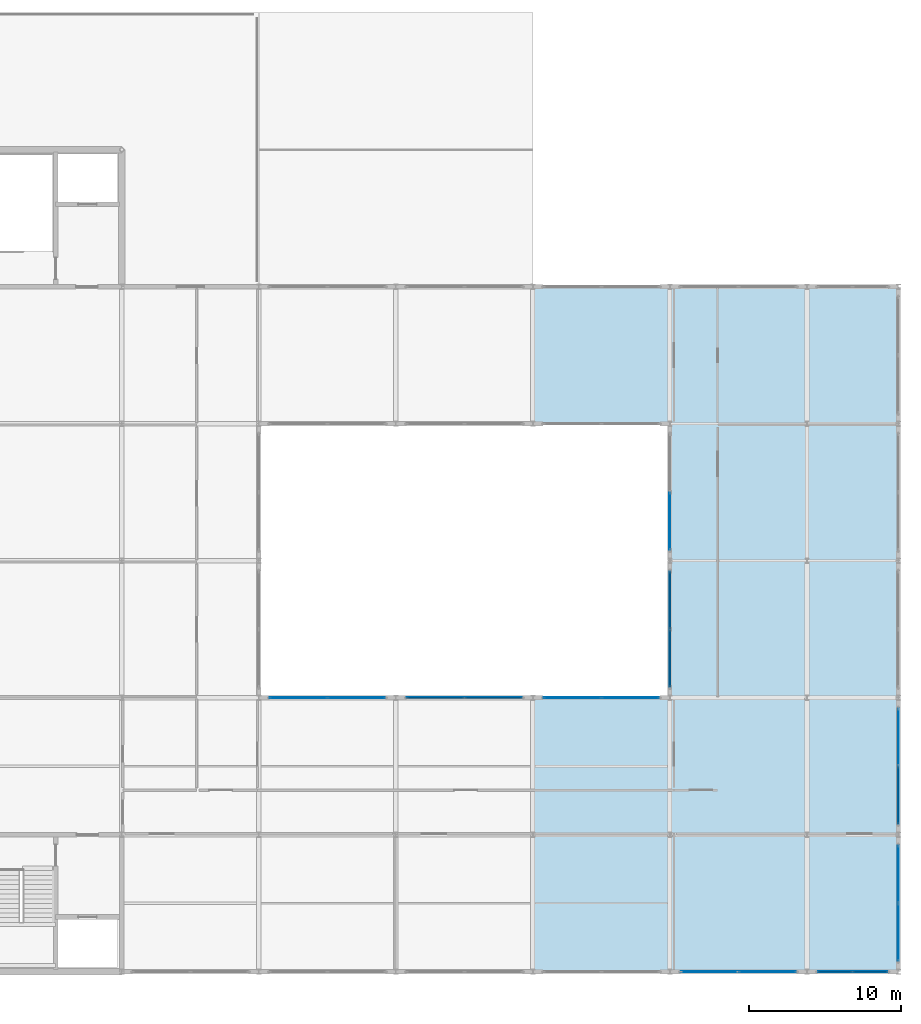
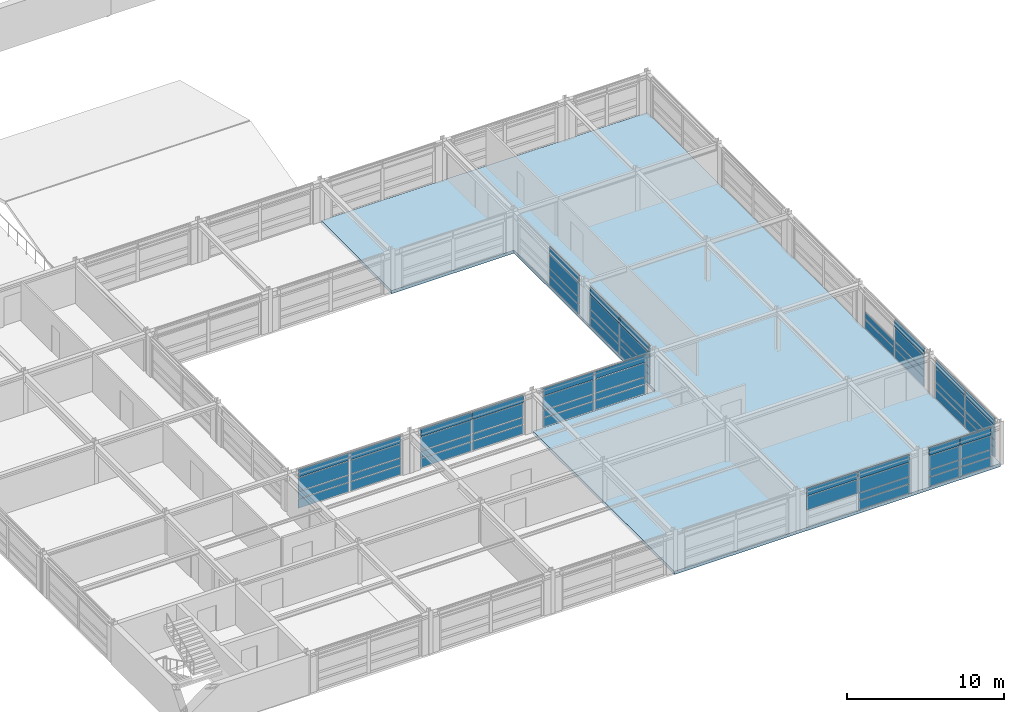
# One storey, part 67 of 91: 64 plates, 1 slab, 9 elements without a shape of their own.
"""IFC4 building model written with IfcOpenShell, lengths in metres."""

from ifc_helpers import new_model, si_unit, direction, frame, origin, origin_2d, place, context, subcontext, project, spatial, polyline, rectangle, outline, extrude, material, layer, layer_set, type_object, element, aggregate, save


model = new_model("IFC4")

# Units and contexts
model_context = context("Model", 3, precision=1e-05, world=origin(), true_north=direction((0.0, 1.0)))
body_context = subcontext(model_context, "Body", "Model", "MODEL_VIEW")
ifc_project = project(units=[si_unit("LENGTHUNIT", "METRE"), si_unit("AREAUNIT", "SQUARE_METRE"), si_unit("VOLUMEUNIT", "CUBIC_METRE"), si_unit("PLANEANGLEUNIT", "RADIAN"), si_unit("MASSUNIT", "GRAM", prefix="KILO")], contexts=[model_context])

# Site, building, storey
site_placement = place(None, origin())
site = spatial("IfcSite", under=ifc_project, at=site_placement, CompositionType="ELEMENT")
building_placement = place(site_placement, origin())
building = spatial("IfcBuilding", under=site, at=building_placement, Name="Palais des Congres Ocreval", CompositionType="ELEMENT")
storey_placement = place(building_placement, frame((0.0, 0.0, 8.159912109375)))
storey = spatial("IfcBuildingStorey", under=building, at=storey_placement, Name="L02", CompositionType="ELEMENT", Elevation=8.159912109375)

# Curtain wall, plates
ifc_material_1 = material(Name="Anodized bronze aluminium and low-E glass", Category="glass")
curtain_wall_type_1 = type_object("IfcCurtainWallType", Name="Unitised Curtain Wall 5800x3280", PredefinedType="USERDEFINED", material=ifc_material_1)
curtain_wall_1_placement = place(storey_placement, origin())
curtain_wall_1 = element("IfcCurtainWall", 1, at=curtain_wall_1_placement, inside=storey, type_object=curtain_wall_type_1, Name="Unitised Curtain Wall CW14 L02", ObjectType="UNITISED CURTAIN WALL", PredefinedType="USERDEFINED")
ifc_material_2 = material(Name="Acoustic triple glazing", Category="glass")
ifc_layer_1 = layer(ifc_material_2, 0.0439453125)
ifc_layer_set_1 = layer_set([ifc_layer_1], Name="Acoustic Laminated Glazing Panel 44 (Acoustic triple glazing)")
plate_type_1 = type_object("IfcPlateType", Name="Acoustic Laminated Glazing Panel 44", PredefinedType="CURTAIN_PANEL", material=ifc_layer_set_1)
plate_1_placement = place(storey_placement, frame((166.15625, 0.0, 0.06005859375), z_axis=(0.0, 0.0, 1.0), x_axis=(-1.0, 0.0, 0.0)))
plate_1 = element("IfcPlate", 2, at=plate_1_placement, type_object=plate_type_1, Name="Vision Glazing Panel VP02", PredefinedType="CURTAIN_PANEL", context=body_context, shape_type="SweptSolid", body=[
    extrude(rectangle(XDim=2.237548828125, YDim=0.0439453125, at=origin_2d()), origin(), (0.0, 0.0, 1.0), 0.68994140625),
])
plate_2_placement = place(storey_placement, frame((166.15625, 0.0, 0.81005859375), z_axis=(0.0, 0.0, 1.0), x_axis=(-1.0, 0.0, 0.0)))
plate_2 = element("IfcPlate", 3, at=plate_2_placement, type_object=plate_type_1, Name="Vision Glazing Panel VP02", PredefinedType="CURTAIN_PANEL", context=body_context, shape_type="SweptSolid", body=[
    extrude(rectangle(XDim=2.237548828125, YDim=0.0439453125, at=origin_2d()), origin(), (0.0, 0.0, 1.0), 0.512939453125),
])
plate_3_placement = place(storey_placement, frame((166.15625, 0.0, 1.3828125), z_axis=(0.0, 0.0, 1.0), x_axis=(-1.0, 0.0, 0.0)))
plate_3 = element("IfcPlate", 4, at=plate_3_placement, type_object=plate_type_1, Name="Vision Glazing Panel VP02", PredefinedType="CURTAIN_PANEL", context=body_context, shape_type="SweptSolid", body=[
    extrude(rectangle(XDim=2.237548828125, YDim=0.0439453125, at=origin_2d()), origin(), (0.0, 0.0, 1.0), 1.047119140625),
])
plate_4_placement = place(storey_placement, frame((163.84375, 0.0, 0.06005859375), z_axis=(0.0, 0.0, 1.0), x_axis=(-1.0, 0.0, 0.0)))
plate_4 = element("IfcPlate", 5, at=plate_4_placement, type_object=plate_type_1, Name="Vision Glazing Panel VP02", PredefinedType="CURTAIN_PANEL", context=body_context, shape_type="SweptSolid", body=[
    extrude(rectangle(XDim=2.237548828125, YDim=0.0439453125, at=origin_2d()), origin(), (0.0, 0.0, 1.0), 0.68994140625),
])
plate_5_placement = place(storey_placement, frame((163.84375, 0.0, 0.81005859375), z_axis=(0.0, 0.0, 1.0), x_axis=(-1.0, 0.0, 0.0)))
plate_5 = element("IfcPlate", 6, at=plate_5_placement, type_object=plate_type_1, Name="Vision Glazing Panel VP02", PredefinedType="CURTAIN_PANEL", context=body_context, shape_type="SweptSolid", body=[
    extrude(rectangle(XDim=2.237548828125, YDim=0.0439453125, at=origin_2d()), origin(), (0.0, 0.0, 1.0), 0.512939453125),
])
plate_6_placement = place(storey_placement, frame((163.84375, 0.0, 1.3828125), z_axis=(0.0, 0.0, 1.0), x_axis=(-1.0, 0.0, 0.0)))
plate_6 = element("IfcPlate", 7, at=plate_6_placement, type_object=plate_type_1, Name="Vision Glazing Panel VP02", PredefinedType="CURTAIN_PANEL", context=body_context, shape_type="SweptSolid", body=[
    extrude(rectangle(XDim=2.237548828125, YDim=0.0439453125, at=origin_2d()), origin(), (0.0, 0.0, 1.0), 1.047119140625),
])

curtain_wall_type_2 = type_object("IfcCurtainWallType", Name="Unitised Curtain Wall 7900x3120", PredefinedType="USERDEFINED", material=ifc_material_1)
curtain_wall_2_placement = place(storey_placement, origin())
curtain_wall_2 = element("IfcCurtainWall", 8, at=curtain_wall_2_placement, inside=storey, type_object=curtain_wall_type_2, Name="Unitised Curtain Wall CW03 L02", ObjectType="UNITISED CURTAIN WALL", PredefinedType="USERDEFINED")
plate_7_placement = place(storey_placement, frame((128.59375, 18.0, 0.06005859375), z_axis=(0.0, 0.0, 1.0), x_axis=(1.0, 0.0, 0.0)))
plate_7 = element("IfcPlate", 9, at=plate_7_placement, type_object=plate_type_1, Name="Vision Glazing Panel VP02", PredefinedType="CURTAIN_PANEL", context=body_context, shape_type="SweptSolid", body=[
    extrude(rectangle(XDim=3.737548828125, YDim=0.0439453125, at=origin_2d()), origin(), (0.0, 0.0, 1.0), 0.68994140625),
])
plate_8_placement = place(storey_placement, frame((128.59375, 18.0, 0.81005859375), z_axis=(0.0, 0.0, 1.0), x_axis=(1.0, 0.0, 0.0)))
plate_8 = element("IfcPlate", 10, at=plate_8_placement, type_object=plate_type_1, Name="Vision Glazing Panel VP02", PredefinedType="CURTAIN_PANEL", context=body_context, shape_type="SweptSolid", body=[
    extrude(rectangle(XDim=3.737548828125, YDim=0.0439453125, at=origin_2d()), origin(), (0.0, 0.0, 1.0), 0.512939453125),
])
plate_9_placement = place(storey_placement, frame((128.59375, 18.0, 1.3828125), z_axis=(0.0, 0.0, 1.0), x_axis=(1.0, 0.0, 0.0)))
plate_9 = element("IfcPlate", 11, at=plate_9_placement, type_object=plate_type_1, Name="Vision Glazing Panel VP02", PredefinedType="CURTAIN_PANEL", context=body_context, shape_type="SweptSolid", body=[
    extrude(rectangle(XDim=3.737548828125, YDim=0.0439453125, at=origin_2d()), origin(), (0.0, 0.0, 1.0), 1.047119140625),
])
plate_10_placement = place(storey_placement, frame((132.40625, 18.0, 0.06005859375), z_axis=(0.0, 0.0, 1.0), x_axis=(1.0, 0.0, 0.0)))
plate_10 = element("IfcPlate", 12, at=plate_10_placement, type_object=plate_type_1, Name="Vision Glazing Panel VP02", PredefinedType="CURTAIN_PANEL", context=body_context, shape_type="SweptSolid", body=[
    extrude(rectangle(XDim=3.737548828125, YDim=0.0439453125, at=origin_2d()), origin(), (0.0, 0.0, 1.0), 0.68994140625),
])
plate_11_placement = place(storey_placement, frame((132.40625, 18.0, 0.81005859375), z_axis=(0.0, 0.0, 1.0), x_axis=(1.0, 0.0, 0.0)))
plate_11 = element("IfcPlate", 13, at=plate_11_placement, type_object=plate_type_1, Name="Vision Glazing Panel VP02", PredefinedType="CURTAIN_PANEL", context=body_context, shape_type="SweptSolid", body=[
    extrude(rectangle(XDim=3.737548828125, YDim=0.0439453125, at=origin_2d()), origin(), (0.0, 0.0, 1.0), 0.512939453125),
])
plate_12_placement = place(storey_placement, frame((132.40625, 18.0, 1.3828125), z_axis=(0.0, 0.0, 1.0), x_axis=(1.0, 0.0, 0.0)))
plate_12 = element("IfcPlate", 14, at=plate_12_placement, type_object=plate_type_1, Name="Vision Glazing Panel VP02", PredefinedType="CURTAIN_PANEL", context=body_context, shape_type="SweptSolid", body=[
    extrude(rectangle(XDim=3.737548828125, YDim=0.0439453125, at=origin_2d()), origin(), (0.0, 0.0, 1.0), 1.047119140625),
])

curtain_wall_3_placement = place(storey_placement, origin())
curtain_wall_3 = element("IfcCurtainWall", 15, at=curtain_wall_3_placement, inside=storey, type_object=curtain_wall_type_2, Name="Unitised Curtain Wall CW03 L02", ObjectType="UNITISED CURTAIN WALL", PredefinedType="USERDEFINED")
plate_13_placement = place(storey_placement, frame((153.0, 20.59375, 0.06005859375), z_axis=(0.0, 0.0, 1.0), x_axis=(0.0, 1.0, 0.0)))
plate_13 = element("IfcPlate", 16, at=plate_13_placement, type_object=plate_type_1, Name="Vision Glazing Panel VP02", PredefinedType="CURTAIN_PANEL", context=body_context, shape_type="SweptSolid", body=[
    extrude(rectangle(XDim=3.737548828125, YDim=0.0439453125, at=origin_2d()), origin(), (0.0, 0.0, 1.0), 0.68994140625),
])
plate_14_placement = place(storey_placement, frame((153.0, 20.59375, 0.81005859375), z_axis=(0.0, 0.0, 1.0), x_axis=(0.0, 1.0, 0.0)))
plate_14 = element("IfcPlate", 17, at=plate_14_placement, type_object=plate_type_1, Name="Vision Glazing Panel VP02", PredefinedType="CURTAIN_PANEL", context=body_context, shape_type="SweptSolid", body=[
    extrude(rectangle(XDim=3.737548828125, YDim=0.0439453125, at=origin_2d()), origin(), (0.0, 0.0, 1.0), 0.512939453125),
])
plate_15_placement = place(storey_placement, frame((153.0, 20.59375, 1.3828125), z_axis=(0.0, 0.0, 1.0), x_axis=(0.0, 1.0, 0.0)))
plate_15 = element("IfcPlate", 18, at=plate_15_placement, type_object=plate_type_1, Name="Vision Glazing Panel VP02", PredefinedType="CURTAIN_PANEL", context=body_context, shape_type="SweptSolid", body=[
    extrude(rectangle(XDim=3.737548828125, YDim=0.0439453125, at=origin_2d()), origin(), (0.0, 0.0, 1.0), 1.047119140625),
])
plate_16_placement = place(storey_placement, frame((153.0, 24.40625, 0.06005859375), z_axis=(0.0, 0.0, 1.0), x_axis=(0.0, 1.0, 0.0)))
plate_16 = element("IfcPlate", 19, at=plate_16_placement, type_object=plate_type_1, Name="Vision Glazing Panel VP02", PredefinedType="CURTAIN_PANEL", context=body_context, shape_type="SweptSolid", body=[
    extrude(rectangle(XDim=3.737548828125, YDim=0.0439453125, at=origin_2d()), origin(), (0.0, 0.0, 1.0), 0.68994140625),
])
plate_17_placement = place(storey_placement, frame((153.0, 24.40625, 0.81005859375), z_axis=(0.0, 0.0, 1.0), x_axis=(0.0, 1.0, 0.0)))
plate_17 = element("IfcPlate", 20, at=plate_17_placement, type_object=plate_type_1, Name="Vision Glazing Panel VP02", PredefinedType="CURTAIN_PANEL", context=body_context, shape_type="SweptSolid", body=[
    extrude(rectangle(XDim=3.737548828125, YDim=0.0439453125, at=origin_2d()), origin(), (0.0, 0.0, 1.0), 0.512939453125),
])
plate_18_placement = place(storey_placement, frame((153.0, 24.40625, 1.3828125), z_axis=(0.0, 0.0, 1.0), x_axis=(0.0, 1.0, 0.0)))
plate_18 = element("IfcPlate", 21, at=plate_18_placement, type_object=plate_type_1, Name="Vision Glazing Panel VP02", PredefinedType="CURTAIN_PANEL", context=body_context, shape_type="SweptSolid", body=[
    extrude(rectangle(XDim=3.737548828125, YDim=0.0439453125, at=origin_2d()), origin(), (0.0, 0.0, 1.0), 1.047119140625),
])

curtain_wall_4_placement = place(storey_placement, origin())
curtain_wall_4 = element("IfcCurtainWall", 22, at=curtain_wall_4_placement, inside=storey, type_object=curtain_wall_type_2, Name="Unitised Curtain Wall CW03 L02", ObjectType="UNITISED CURTAIN WALL", PredefinedType="USERDEFINED")
ifc_material_3 = material(Name="Anodized bronze aluminium", Category="aluminium")
ifc_layer_2 = layer(ifc_material_3, 0.06005859375)
ifc_layer_set_2 = layer_set([ifc_layer_2], Name="Anodized Bronze Spandrel Cassette 60 (Anodized bronze aluminium)")
plate_type_2 = type_object("IfcPlateType", Name="Anodized Bronze Spandrel Cassette 60", PredefinedType="SHEET", material=ifc_layer_set_2)
plate_19_placement = place(storey_placement, frame((168.0, 6.40625, 2.489990234375), z_axis=(0.0, 0.0, 1.0), x_axis=(0.0, -1.0, 0.0)))
plate_19 = element("IfcPlate", 23, at=plate_19_placement, type_object=plate_type_2, Name="Spandrel Sheet SPN1", PredefinedType="SHEET", context=body_context, shape_type="SweptSolid", body=[
    extrude(rectangle(XDim=3.737548828125, YDim=0.06005859375, at=origin_2d()), origin(), (0.0, 0.0, 1.0), 0.56005859375),
])
plate_20_placement = place(storey_placement, frame((168.0, 2.59375, 2.489990234375), z_axis=(0.0, 0.0, 1.0), x_axis=(0.0, -1.0, 0.0)))
plate_20 = element("IfcPlate", 24, at=plate_20_placement, type_object=plate_type_2, Name="Spandrel Sheet SPN1", PredefinedType="SHEET", context=body_context, shape_type="SweptSolid", body=[
    extrude(rectangle(XDim=3.737548828125, YDim=0.06005859375, at=origin_2d()), origin(), (0.0, 0.0, 1.0), 0.56005859375),
])

curtain_wall_5_placement = place(storey_placement, origin())
curtain_wall_5 = element("IfcCurtainWall", 25, at=curtain_wall_5_placement, inside=storey, type_object=curtain_wall_type_2, Name="Unitised Curtain Wall CW03 L02", ObjectType="UNITISED CURTAIN WALL", PredefinedType="USERDEFINED")
plate_21_placement = place(storey_placement, frame((159.40625, 0.0, 2.489990234375), z_axis=(0.0, 0.0, 1.0), x_axis=(-1.0, 0.0, 0.0)))
plate_21 = element("IfcPlate", 26, at=plate_21_placement, type_object=plate_type_2, Name="Spandrel Sheet SPN1", PredefinedType="SHEET", context=body_context, shape_type="SweptSolid", body=[
    extrude(rectangle(XDim=3.737548828125, YDim=0.06005859375, at=origin_2d()), origin(), (0.0, 0.0, 1.0), 0.56005859375),
])
plate_22_placement = place(storey_placement, frame((155.59375, 0.0, 2.489990234375), z_axis=(0.0, 0.0, 1.0), x_axis=(-1.0, 0.0, 0.0)))
plate_22 = element("IfcPlate", 27, at=plate_22_placement, type_object=plate_type_2, Name="Spandrel Sheet SPN1", PredefinedType="SHEET", context=body_context, shape_type="SweptSolid", body=[
    extrude(rectangle(XDim=3.737548828125, YDim=0.06005859375, at=origin_2d()), origin(), (0.0, 0.0, 1.0), 0.56005859375),
])

# Plate
plate_23_placement = place(storey_placement, frame((128.59375, 18.0, 2.489990234375), z_axis=(0.0, 0.0, 1.0), x_axis=(1.0, 0.0, 0.0)))
plate_23 = element("IfcPlate", 28, at=plate_23_placement, type_object=plate_type_2, Name="Spandrel Sheet SPN1", PredefinedType="SHEET", context=body_context, shape_type="SweptSolid", body=[
    extrude(rectangle(XDim=3.737548828125, YDim=0.06005859375, at=origin_2d()), origin(), (0.0, 0.0, 1.0), 0.56005859375),
])

plate_24_placement = place(storey_placement, frame((132.40625, 18.0, 2.489990234375), z_axis=(0.0, 0.0, 1.0), x_axis=(1.0, 0.0, 0.0)))
plate_24 = element("IfcPlate", 29, at=plate_24_placement, type_object=plate_type_2, Name="Spandrel Sheet SPN1", PredefinedType="SHEET", context=body_context, shape_type="SweptSolid", body=[
    extrude(rectangle(XDim=3.737548828125, YDim=0.06005859375, at=origin_2d()), origin(), (0.0, 0.0, 1.0), 0.56005859375),
])

aggregate(curtain_wall_2, [plate_7, plate_8, plate_9, plate_23, plate_10, plate_11, plate_12, plate_24])

# Curtain wall, plates
curtain_wall_6_placement = place(storey_placement, origin())
curtain_wall_6 = element("IfcCurtainWall", 30, at=curtain_wall_6_placement, inside=storey, type_object=curtain_wall_type_2, Name="Unitised Curtain Wall CW03 L02", ObjectType="UNITISED CURTAIN WALL", PredefinedType="USERDEFINED")
plate_25_placement = place(storey_placement, frame((146.59375, 18.0, 2.489990234375), z_axis=(0.0, 0.0, 1.0), x_axis=(1.0, 0.0, 0.0)))
plate_25 = element("IfcPlate", 31, at=plate_25_placement, type_object=plate_type_2, Name="Spandrel Sheet SPN1", PredefinedType="SHEET", context=body_context, shape_type="SweptSolid", body=[
    extrude(rectangle(XDim=3.737548828125, YDim=0.06005859375, at=origin_2d()), origin(), (0.0, 0.0, 1.0), 0.56005859375),
])
plate_26_placement = place(storey_placement, frame((150.40625, 18.0, 2.489990234375), z_axis=(0.0, 0.0, 1.0), x_axis=(1.0, 0.0, 0.0)))
plate_26 = element("IfcPlate", 32, at=plate_26_placement, type_object=plate_type_2, Name="Spandrel Sheet SPN1", PredefinedType="SHEET", context=body_context, shape_type="SweptSolid", body=[
    extrude(rectangle(XDim=3.737548828125, YDim=0.06005859375, at=origin_2d()), origin(), (0.0, 0.0, 1.0), 0.56005859375),
])

# Curtain wall, plate
curtain_wall_7_placement = place(storey_placement, origin())
curtain_wall_7 = element("IfcCurtainWall", 33, at=curtain_wall_7_placement, inside=storey, type_object=curtain_wall_type_2, Name="Unitised Curtain Wall CW03 L02", ObjectType="UNITISED CURTAIN WALL", PredefinedType="USERDEFINED")
plate_27_placement = place(storey_placement, frame((153.0, 29.59375, 2.489990234375), z_axis=(0.0, 0.0, 1.0), x_axis=(0.0, 1.0, 0.0)))
plate_27 = element("IfcPlate", 34, at=plate_27_placement, type_object=plate_type_2, Name="Spandrel Sheet SPN1", PredefinedType="SHEET", context=body_context, shape_type="SweptSolid", body=[
    extrude(rectangle(XDim=3.737548828125, YDim=0.06005859375, at=origin_2d()), origin(), (0.0, 0.0, 1.0), 0.56005859375),
])

# Curtain wall, plates
curtain_wall_8_placement = place(storey_placement, origin())
curtain_wall_8 = element("IfcCurtainWall", 35, at=curtain_wall_8_placement, inside=storey, type_object=curtain_wall_type_2, Name="Unitised Curtain Wall CW03 L02", ObjectType="UNITISED CURTAIN WALL", PredefinedType="USERDEFINED")
ifc_material_4 = material(Name="Low-E solar-control double glazing", Category="glass")
ifc_layer_3 = layer(ifc_material_4, 0.031982421875)
ifc_layer_set_3 = layer_set([ifc_layer_3], Name="Galleria Clear Vision Panel 32 (Low-E solar-control double glazing)")
plate_type_3 = type_object("IfcPlateType", Name="Galleria Clear Vision Panel 32", PredefinedType="CURTAIN_PANEL", material=ifc_layer_set_3)
plate_28_placement = place(storey_placement, frame((168.0, 15.40625, 0.06005859375), z_axis=(0.0, 0.0, 1.0), x_axis=(0.0, -1.0, 0.0)))
plate_28 = element("IfcPlate", 36, at=plate_28_placement, type_object=plate_type_3, Name="Vision Glazing Panel VP03", PredefinedType="CURTAIN_PANEL", context=body_context, shape_type="SweptSolid", body=[
    extrude(rectangle(XDim=3.737548828125, YDim=0.031982421875, at=origin_2d()), origin(), (0.0, 0.0, 1.0), 0.68994140625),
])
plate_29_placement = place(storey_placement, frame((168.0, 15.40625, 0.81005859375), z_axis=(0.0, 0.0, 1.0), x_axis=(0.0, -1.0, 0.0)))
plate_29 = element("IfcPlate", 37, at=plate_29_placement, type_object=plate_type_3, Name="Vision Glazing Panel VP03", PredefinedType="CURTAIN_PANEL", context=body_context, shape_type="SweptSolid", body=[
    extrude(rectangle(XDim=3.737548828125, YDim=0.031982421875, at=origin_2d()), origin(), (0.0, 0.0, 1.0), 0.512939453125),
])
plate_30_placement = place(storey_placement, frame((168.0, 11.59375, 0.06005859375), z_axis=(0.0, 0.0, 1.0), x_axis=(0.0, -1.0, 0.0)))
plate_30 = element("IfcPlate", 38, at=plate_30_placement, type_object=plate_type_3, Name="Vision Glazing Panel VP03", PredefinedType="CURTAIN_PANEL", context=body_context, shape_type="SweptSolid", body=[
    extrude(rectangle(XDim=3.737548828125, YDim=0.031982421875, at=origin_2d()), origin(), (0.0, 0.0, 1.0), 0.68994140625),
])
plate_31_placement = place(storey_placement, frame((168.0, 11.59375, 0.81005859375), z_axis=(0.0, 0.0, 1.0), x_axis=(0.0, -1.0, 0.0)))
plate_31 = element("IfcPlate", 39, at=plate_31_placement, type_object=plate_type_3, Name="Vision Glazing Panel VP03", PredefinedType="CURTAIN_PANEL", context=body_context, shape_type="SweptSolid", body=[
    extrude(rectangle(XDim=3.737548828125, YDim=0.031982421875, at=origin_2d()), origin(), (0.0, 0.0, 1.0), 0.512939453125),
])
plate_32_placement = place(storey_placement, frame((168.0, 11.59375, 1.3828125), z_axis=(0.0, 0.0, 1.0), x_axis=(0.0, -1.0, 0.0)))
plate_32 = element("IfcPlate", 40, at=plate_32_placement, type_object=plate_type_3, Name="Vision Glazing Panel VP03", PredefinedType="CURTAIN_PANEL", context=body_context, shape_type="SweptSolid", body=[
    extrude(rectangle(XDim=3.737548828125, YDim=0.031982421875, at=origin_2d()), origin(), (0.0, 0.0, 1.0), 1.047119140625),
])

# Plate
plate_33_placement = place(storey_placement, frame((159.40625, 0.0, 0.06005859375), z_axis=(0.0, 0.0, 1.0), x_axis=(-1.0, 0.0, 0.0)))
plate_33 = element("IfcPlate", 41, at=plate_33_placement, type_object=plate_type_3, Name="Vision Glazing Panel VP03", PredefinedType="CURTAIN_PANEL", context=body_context, shape_type="SweptSolid", body=[
    extrude(rectangle(XDim=3.737548828125, YDim=0.031982421875, at=origin_2d()), origin(), (0.0, 0.0, 1.0), 0.68994140625),
])

plate_34_placement = place(storey_placement, frame((159.40625, 0.0, 0.81005859375), z_axis=(0.0, 0.0, 1.0), x_axis=(-1.0, 0.0, 0.0)))
plate_34 = element("IfcPlate", 42, at=plate_34_placement, type_object=plate_type_3, Name="Vision Glazing Panel VP03", PredefinedType="CURTAIN_PANEL", context=body_context, shape_type="SweptSolid", body=[
    extrude(rectangle(XDim=3.737548828125, YDim=0.031982421875, at=origin_2d()), origin(), (0.0, 0.0, 1.0), 0.512939453125),
])

plate_35_placement = place(storey_placement, frame((159.40625, 0.0, 1.3828125), z_axis=(0.0, 0.0, 1.0), x_axis=(-1.0, 0.0, 0.0)))
plate_35 = element("IfcPlate", 43, at=plate_35_placement, type_object=plate_type_3, Name="Vision Glazing Panel VP03", PredefinedType="CURTAIN_PANEL", context=body_context, shape_type="SweptSolid", body=[
    extrude(rectangle(XDim=3.737548828125, YDim=0.031982421875, at=origin_2d()), origin(), (0.0, 0.0, 1.0), 1.047119140625),
])

plate_36_placement = place(storey_placement, frame((155.59375, 0.0, 1.3828125), z_axis=(0.0, 0.0, 1.0), x_axis=(-1.0, 0.0, 0.0)))
plate_36 = element("IfcPlate", 44, at=plate_36_placement, type_object=plate_type_3, Name="Vision Glazing Panel VP03", PredefinedType="CURTAIN_PANEL", context=body_context, shape_type="SweptSolid", body=[
    extrude(rectangle(XDim=3.737548828125, YDim=0.031982421875, at=origin_2d()), origin(), (0.0, 0.0, 1.0), 1.047119140625),
])

aggregate(curtain_wall_5, [plate_33, plate_34, plate_35, plate_21, plate_36, plate_22])

# Curtain wall, plates
curtain_wall_9_placement = place(storey_placement, origin())
curtain_wall_9 = element("IfcCurtainWall", 45, at=curtain_wall_9_placement, inside=storey, type_object=curtain_wall_type_2, Name="Unitised Curtain Wall CW03 L02", ObjectType="UNITISED CURTAIN WALL", PredefinedType="USERDEFINED")
plate_37_placement = place(storey_placement, frame((137.59375, 18.0, 0.06005859375), z_axis=(0.0, 0.0, 1.0), x_axis=(1.0, 0.0, 0.0)))
plate_37 = element("IfcPlate", 46, at=plate_37_placement, type_object=plate_type_3, Name="Vision Glazing Panel VP03", PredefinedType="CURTAIN_PANEL", context=body_context, shape_type="SweptSolid", body=[
    extrude(rectangle(XDim=3.737548828125, YDim=0.031982421875, at=origin_2d()), origin(), (0.0, 0.0, 1.0), 0.68994140625),
])
plate_38_placement = place(storey_placement, frame((137.59375, 18.0, 0.81005859375), z_axis=(0.0, 0.0, 1.0), x_axis=(1.0, 0.0, 0.0)))
plate_38 = element("IfcPlate", 47, at=plate_38_placement, type_object=plate_type_3, Name="Vision Glazing Panel VP03", PredefinedType="CURTAIN_PANEL", context=body_context, shape_type="SweptSolid", body=[
    extrude(rectangle(XDim=3.737548828125, YDim=0.031982421875, at=origin_2d()), origin(), (0.0, 0.0, 1.0), 0.512939453125),
])
plate_39_placement = place(storey_placement, frame((137.59375, 18.0, 1.3828125), z_axis=(0.0, 0.0, 1.0), x_axis=(1.0, 0.0, 0.0)))
plate_39 = element("IfcPlate", 48, at=plate_39_placement, type_object=plate_type_3, Name="Vision Glazing Panel VP03", PredefinedType="CURTAIN_PANEL", context=body_context, shape_type="SweptSolid", body=[
    extrude(rectangle(XDim=3.737548828125, YDim=0.031982421875, at=origin_2d()), origin(), (0.0, 0.0, 1.0), 1.047119140625),
])
plate_40_placement = place(storey_placement, frame((141.40625, 18.0, 0.06005859375), z_axis=(0.0, 0.0, 1.0), x_axis=(1.0, 0.0, 0.0)))
plate_40 = element("IfcPlate", 49, at=plate_40_placement, type_object=plate_type_3, Name="Vision Glazing Panel VP03", PredefinedType="CURTAIN_PANEL", context=body_context, shape_type="SweptSolid", body=[
    extrude(rectangle(XDim=3.737548828125, YDim=0.031982421875, at=origin_2d()), origin(), (0.0, 0.0, 1.0), 0.68994140625),
])
plate_41_placement = place(storey_placement, frame((141.40625, 18.0, 0.81005859375), z_axis=(0.0, 0.0, 1.0), x_axis=(1.0, 0.0, 0.0)))
plate_41 = element("IfcPlate", 50, at=plate_41_placement, type_object=plate_type_3, Name="Vision Glazing Panel VP03", PredefinedType="CURTAIN_PANEL", context=body_context, shape_type="SweptSolid", body=[
    extrude(rectangle(XDim=3.737548828125, YDim=0.031982421875, at=origin_2d()), origin(), (0.0, 0.0, 1.0), 0.512939453125),
])
plate_42_placement = place(storey_placement, frame((141.40625, 18.0, 1.3828125), z_axis=(0.0, 0.0, 1.0), x_axis=(1.0, 0.0, 0.0)))
plate_42 = element("IfcPlate", 51, at=plate_42_placement, type_object=plate_type_3, Name="Vision Glazing Panel VP03", PredefinedType="CURTAIN_PANEL", context=body_context, shape_type="SweptSolid", body=[
    extrude(rectangle(XDim=3.737548828125, YDim=0.031982421875, at=origin_2d()), origin(), (0.0, 0.0, 1.0), 1.047119140625),
])

# Plate
plate_43_placement = place(storey_placement, frame((153.0, 29.59375, 0.06005859375), z_axis=(0.0, 0.0, 1.0), x_axis=(0.0, 1.0, 0.0)))
plate_43 = element("IfcPlate", 52, at=plate_43_placement, type_object=plate_type_3, Name="Vision Glazing Panel VP03", PredefinedType="CURTAIN_PANEL", context=body_context, shape_type="SweptSolid", body=[
    extrude(rectangle(XDim=3.737548828125, YDim=0.031982421875, at=origin_2d()), origin(), (0.0, 0.0, 1.0), 0.68994140625),
])

plate_44_placement = place(storey_placement, frame((153.0, 29.59375, 0.81005859375), z_axis=(0.0, 0.0, 1.0), x_axis=(0.0, 1.0, 0.0)))
plate_44 = element("IfcPlate", 53, at=plate_44_placement, type_object=plate_type_3, Name="Vision Glazing Panel VP03", PredefinedType="CURTAIN_PANEL", context=body_context, shape_type="SweptSolid", body=[
    extrude(rectangle(XDim=3.737548828125, YDim=0.031982421875, at=origin_2d()), origin(), (0.0, 0.0, 1.0), 0.512939453125),
])

plate_45_placement = place(storey_placement, frame((153.0, 29.59375, 1.3828125), z_axis=(0.0, 0.0, 1.0), x_axis=(0.0, 1.0, 0.0)))
plate_45 = element("IfcPlate", 54, at=plate_45_placement, type_object=plate_type_3, Name="Vision Glazing Panel VP03", PredefinedType="CURTAIN_PANEL", context=body_context, shape_type="SweptSolid", body=[
    extrude(rectangle(XDim=3.737548828125, YDim=0.031982421875, at=origin_2d()), origin(), (0.0, 0.0, 1.0), 1.047119140625),
])

aggregate(curtain_wall_7, [plate_43, plate_44, plate_45, plate_27])

ifc_layer_4 = layer(ifc_material_4, 0.035888671875)
ifc_layer_set_4 = layer_set([ifc_layer_4], Name="Low-E Vision Glazing Panel 36 (Low-E solar-control double glazing)")
plate_type_4 = type_object("IfcPlateType", Name="Low-E Vision Glazing Panel 36", PredefinedType="CURTAIN_PANEL", material=ifc_layer_set_4)
plate_46_placement = place(storey_placement, frame((168.0, 6.40625, 0.06005859375), z_axis=(0.0, 0.0, 1.0), x_axis=(0.0, -1.0, 0.0)))
plate_46 = element("IfcPlate", 55, at=plate_46_placement, type_object=plate_type_4, Name="Vision Glazing Panel VP01", PredefinedType="CURTAIN_PANEL", context=body_context, shape_type="SweptSolid", body=[
    extrude(rectangle(XDim=3.737548828125, YDim=0.035888671875, at=origin_2d()), origin(), (0.0, 0.0, 1.0), 0.68994140625),
])

plate_47_placement = place(storey_placement, frame((168.0, 6.40625, 0.81005859375), z_axis=(0.0, 0.0, 1.0), x_axis=(0.0, -1.0, 0.0)))
plate_47 = element("IfcPlate", 56, at=plate_47_placement, type_object=plate_type_4, Name="Vision Glazing Panel VP01", PredefinedType="CURTAIN_PANEL", context=body_context, shape_type="SweptSolid", body=[
    extrude(rectangle(XDim=3.737548828125, YDim=0.035888671875, at=origin_2d()), origin(), (0.0, 0.0, 1.0), 0.512939453125),
])

plate_48_placement = place(storey_placement, frame((168.0, 6.40625, 1.3828125), z_axis=(0.0, 0.0, 1.0), x_axis=(0.0, -1.0, 0.0)))
plate_48 = element("IfcPlate", 57, at=plate_48_placement, type_object=plate_type_4, Name="Vision Glazing Panel VP01", PredefinedType="CURTAIN_PANEL", context=body_context, shape_type="SweptSolid", body=[
    extrude(rectangle(XDim=3.737548828125, YDim=0.035888671875, at=origin_2d()), origin(), (0.0, 0.0, 1.0), 1.047119140625),
])

plate_49_placement = place(storey_placement, frame((168.0, 2.59375, 0.06005859375), z_axis=(0.0, 0.0, 1.0), x_axis=(0.0, -1.0, 0.0)))
plate_49 = element("IfcPlate", 58, at=plate_49_placement, type_object=plate_type_4, Name="Vision Glazing Panel VP01", PredefinedType="CURTAIN_PANEL", context=body_context, shape_type="SweptSolid", body=[
    extrude(rectangle(XDim=3.737548828125, YDim=0.035888671875, at=origin_2d()), origin(), (0.0, 0.0, 1.0), 0.68994140625),
])

plate_50_placement = place(storey_placement, frame((168.0, 2.59375, 0.81005859375), z_axis=(0.0, 0.0, 1.0), x_axis=(0.0, -1.0, 0.0)))
plate_50 = element("IfcPlate", 59, at=plate_50_placement, type_object=plate_type_4, Name="Vision Glazing Panel VP01", PredefinedType="CURTAIN_PANEL", context=body_context, shape_type="SweptSolid", body=[
    extrude(rectangle(XDim=3.737548828125, YDim=0.035888671875, at=origin_2d()), origin(), (0.0, 0.0, 1.0), 0.512939453125),
])

plate_51_placement = place(storey_placement, frame((168.0, 2.59375, 1.3828125), z_axis=(0.0, 0.0, 1.0), x_axis=(0.0, -1.0, 0.0)))
plate_51 = element("IfcPlate", 60, at=plate_51_placement, type_object=plate_type_4, Name="Vision Glazing Panel VP01", PredefinedType="CURTAIN_PANEL", context=body_context, shape_type="SweptSolid", body=[
    extrude(rectangle(XDim=3.737548828125, YDim=0.035888671875, at=origin_2d()), origin(), (0.0, 0.0, 1.0), 1.047119140625),
])

aggregate(curtain_wall_4, [plate_46, plate_47, plate_48, plate_19, plate_49, plate_50, plate_51, plate_20])

plate_52_placement = place(storey_placement, frame((146.59375, 18.0, 0.06005859375), z_axis=(0.0, 0.0, 1.0), x_axis=(1.0, 0.0, 0.0)))
plate_52 = element("IfcPlate", 61, at=plate_52_placement, type_object=plate_type_4, Name="Vision Glazing Panel VP01", PredefinedType="CURTAIN_PANEL", context=body_context, shape_type="SweptSolid", body=[
    extrude(rectangle(XDim=3.737548828125, YDim=0.035888671875, at=origin_2d()), origin(), (0.0, 0.0, 1.0), 0.68994140625),
])

plate_53_placement = place(storey_placement, frame((146.59375, 18.0, 0.81005859375), z_axis=(0.0, 0.0, 1.0), x_axis=(1.0, 0.0, 0.0)))
plate_53 = element("IfcPlate", 62, at=plate_53_placement, type_object=plate_type_4, Name="Vision Glazing Panel VP01", PredefinedType="CURTAIN_PANEL", context=body_context, shape_type="SweptSolid", body=[
    extrude(rectangle(XDim=3.737548828125, YDim=0.035888671875, at=origin_2d()), origin(), (0.0, 0.0, 1.0), 0.512939453125),
])

plate_54_placement = place(storey_placement, frame((146.59375, 18.0, 1.3828125), z_axis=(0.0, 0.0, 1.0), x_axis=(1.0, 0.0, 0.0)))
plate_54 = element("IfcPlate", 63, at=plate_54_placement, type_object=plate_type_4, Name="Vision Glazing Panel VP01", PredefinedType="CURTAIN_PANEL", context=body_context, shape_type="SweptSolid", body=[
    extrude(rectangle(XDim=3.737548828125, YDim=0.035888671875, at=origin_2d()), origin(), (0.0, 0.0, 1.0), 1.047119140625),
])

plate_55_placement = place(storey_placement, frame((150.40625, 18.0, 0.06005859375), z_axis=(0.0, 0.0, 1.0), x_axis=(1.0, 0.0, 0.0)))
plate_55 = element("IfcPlate", 64, at=plate_55_placement, type_object=plate_type_4, Name="Vision Glazing Panel VP01", PredefinedType="CURTAIN_PANEL", context=body_context, shape_type="SweptSolid", body=[
    extrude(rectangle(XDim=3.737548828125, YDim=0.035888671875, at=origin_2d()), origin(), (0.0, 0.0, 1.0), 0.68994140625),
])

plate_56_placement = place(storey_placement, frame((150.40625, 18.0, 0.81005859375), z_axis=(0.0, 0.0, 1.0), x_axis=(1.0, 0.0, 0.0)))
plate_56 = element("IfcPlate", 65, at=plate_56_placement, type_object=plate_type_4, Name="Vision Glazing Panel VP01", PredefinedType="CURTAIN_PANEL", context=body_context, shape_type="SweptSolid", body=[
    extrude(rectangle(XDim=3.737548828125, YDim=0.035888671875, at=origin_2d()), origin(), (0.0, 0.0, 1.0), 0.512939453125),
])

plate_57_placement = place(storey_placement, frame((150.40625, 18.0, 1.3828125), z_axis=(0.0, 0.0, 1.0), x_axis=(1.0, 0.0, 0.0)))
plate_57 = element("IfcPlate", 66, at=plate_57_placement, type_object=plate_type_4, Name="Vision Glazing Panel VP01", PredefinedType="CURTAIN_PANEL", context=body_context, shape_type="SweptSolid", body=[
    extrude(rectangle(XDim=3.737548828125, YDim=0.035888671875, at=origin_2d()), origin(), (0.0, 0.0, 1.0), 1.047119140625),
])

aggregate(curtain_wall_6, [plate_52, plate_53, plate_54, plate_25, plate_55, plate_56, plate_57, plate_26])

ifc_material_5 = material(Name="Terracotta ceramic spandrel", Category="masonry")
ifc_layer_5 = layer(ifc_material_5, 0.080078125)
ifc_layer_set_5 = layer_set([ifc_layer_5], Name="Terracotta Insulated Spandrel Sheet 80 (Terracotta ceramic spandrel)")
plate_type_5 = type_object("IfcPlateType", Name="Terracotta Insulated Spandrel Sheet 80", PredefinedType="SHEET", material=ifc_layer_set_5)
plate_58_placement = place(storey_placement, frame((168.0, 11.59375, 2.489990234375), z_axis=(0.0, 0.0, 1.0), x_axis=(0.0, -1.0, 0.0)))
plate_58 = element("IfcPlate", 67, at=plate_58_placement, type_object=plate_type_5, Name="Spandrel Sheet SPN2", PredefinedType="SHEET", context=body_context, shape_type="SweptSolid", body=[
    extrude(rectangle(XDim=3.737548828125, YDim=0.080078125, at=origin_2d()), origin(), (0.0, 0.0, 1.0), 0.56005859375),
])

aggregate(curtain_wall_8, [plate_28, plate_29, plate_30, plate_31, plate_32, plate_58])

plate_59_placement = place(storey_placement, frame((166.15625, 0.0, 2.489990234375), z_axis=(0.0, 0.0, 1.0), x_axis=(-1.0, 0.0, 0.0)))
plate_59 = element("IfcPlate", 68, at=plate_59_placement, type_object=plate_type_5, Name="Spandrel Sheet SPN2", PredefinedType="SHEET", context=body_context, shape_type="SweptSolid", body=[
    extrude(rectangle(XDim=2.237548828125, YDim=0.080078125, at=origin_2d()), origin(), (0.0, 0.0, 1.0), 0.56005859375),
])

plate_60_placement = place(storey_placement, frame((163.84375, 0.0, 2.489990234375), z_axis=(0.0, 0.0, 1.0), x_axis=(-1.0, 0.0, 0.0)))
plate_60 = element("IfcPlate", 69, at=plate_60_placement, type_object=plate_type_5, Name="Spandrel Sheet SPN2", PredefinedType="SHEET", context=body_context, shape_type="SweptSolid", body=[
    extrude(rectangle(XDim=2.237548828125, YDim=0.080078125, at=origin_2d()), origin(), (0.0, 0.0, 1.0), 0.56005859375),
])

aggregate(curtain_wall_1, [plate_1, plate_2, plate_3, plate_59, plate_4, plate_5, plate_6, plate_60])

plate_61_placement = place(storey_placement, frame((137.59375, 18.0, 2.489990234375), z_axis=(0.0, 0.0, 1.0), x_axis=(1.0, 0.0, 0.0)))
plate_61 = element("IfcPlate", 70, at=plate_61_placement, type_object=plate_type_5, Name="Spandrel Sheet SPN2", PredefinedType="SHEET", context=body_context, shape_type="SweptSolid", body=[
    extrude(rectangle(XDim=3.737548828125, YDim=0.080078125, at=origin_2d()), origin(), (0.0, 0.0, 1.0), 0.56005859375),
])

plate_62_placement = place(storey_placement, frame((141.40625, 18.0, 2.489990234375), z_axis=(0.0, 0.0, 1.0), x_axis=(1.0, 0.0, 0.0)))
plate_62 = element("IfcPlate", 71, at=plate_62_placement, type_object=plate_type_5, Name="Spandrel Sheet SPN2", PredefinedType="SHEET", context=body_context, shape_type="SweptSolid", body=[
    extrude(rectangle(XDim=3.737548828125, YDim=0.080078125, at=origin_2d()), origin(), (0.0, 0.0, 1.0), 0.56005859375),
])

aggregate(curtain_wall_9, [plate_37, plate_38, plate_39, plate_61, plate_40, plate_41, plate_42, plate_62])

plate_63_placement = place(storey_placement, frame((153.0, 20.59375, 2.489990234375), z_axis=(0.0, 0.0, 1.0), x_axis=(0.0, 1.0, 0.0)))
plate_63 = element("IfcPlate", 72, at=plate_63_placement, type_object=plate_type_5, Name="Spandrel Sheet SPN2", PredefinedType="SHEET", context=body_context, shape_type="SweptSolid", body=[
    extrude(rectangle(XDim=3.737548828125, YDim=0.080078125, at=origin_2d()), origin(), (0.0, 0.0, 1.0), 0.56005859375),
])

plate_64_placement = place(storey_placement, frame((153.0, 24.40625, 2.489990234375), z_axis=(0.0, 0.0, 1.0), x_axis=(0.0, 1.0, 0.0)))
plate_64 = element("IfcPlate", 73, at=plate_64_placement, type_object=plate_type_5, Name="Spandrel Sheet SPN2", PredefinedType="SHEET", context=body_context, shape_type="SweptSolid", body=[
    extrude(rectangle(XDim=3.737548828125, YDim=0.080078125, at=origin_2d()), origin(), (0.0, 0.0, 1.0), 0.56005859375),
])

aggregate(curtain_wall_3, [plate_13, plate_14, plate_15, plate_63, plate_16, plate_17, plate_18, plate_64])

# Slab
ifc_material_6 = material(Name="Concrete C40/50", Category="concrete")
ifc_layer_6 = layer(ifc_material_6, 0.239990234375)
ifc_layer_set_6 = layer_set([ifc_layer_6], Name="Transfer and Crown Floor Slab 240 Concrete C40/50")
slab_type = type_object("IfcSlabType", Name="Transfer and Crown Floor Slab 240 Concrete C40/50", PredefinedType="FLOOR", material=ifc_layer_set_6)
slab_placement = place(storey_placement, frame((0.0, 0.0, -0.239990234375)))
element("IfcSlab", 74, at=slab_placement, inside=storey, type_object=slab_type, Name="Floor Slab SL10 L02 V3-4", PredefinedType="FLOOR", context=body_context, shape_type="SweptSolid", body=[
    extrude(outline(polyline([(153.0, 45.0), (168.0, 45.0), (168.0, 18.0), (168.0, 0.0), (144.0, 0.0), (144.0, 18.0), (153.0, 18.0), (153.0, 36.0), (144.0, 36.0), (144.0, 45.0), (153.0, 45.0)])), origin(), (0.0, 0.0, 1.0), 0.239990234375),
])

save(model, "model.ifc")
